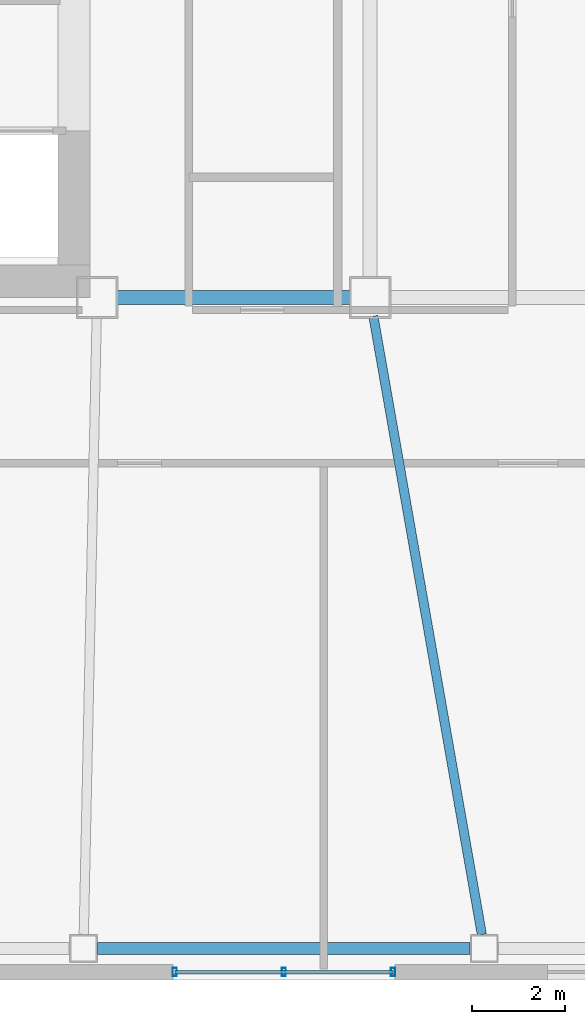
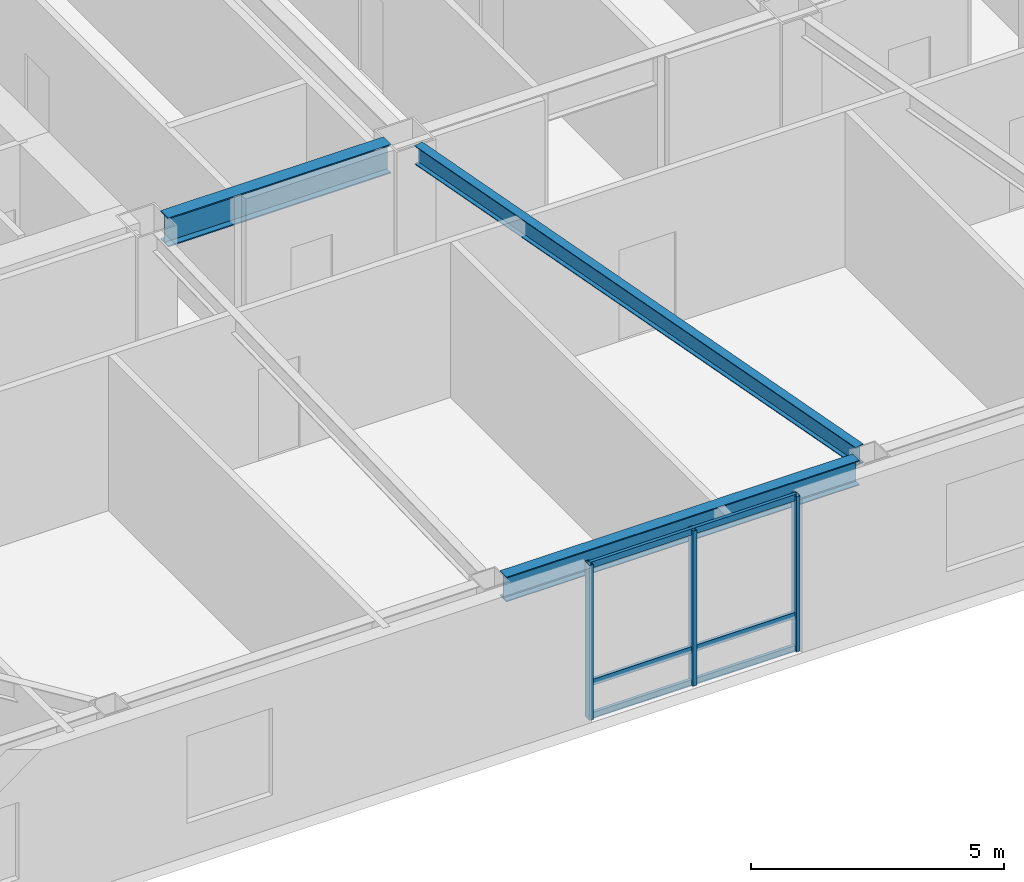
# One storey, part 2 of 18: 6 members, 3 beams, 1 element without a shape of its own.
"""IFC4 building model written with IfcOpenShell, lengths in metres."""

from ifc_helpers import new_model, si_unit, direction, frame, origin, origin_2d, place, context, subcontext, project, spatial, hollow_rectangle, i_section, extrude, material, layer, layer_set, material_profile, profile_set, type_object, element, aggregate, save


model = new_model("IFC4")

# Units and contexts
model_context = context("Model", 3, precision=1e-05, world=origin(), true_north=direction((0.0, 1.0)))
body_context = subcontext(model_context, "Body", "Model", "MODEL_VIEW")
ifc_project = project(units=[si_unit("LENGTHUNIT", "METRE"), si_unit("AREAUNIT", "SQUARE_METRE"), si_unit("VOLUMEUNIT", "CUBIC_METRE"), si_unit("PLANEANGLEUNIT", "RADIAN"), si_unit("MASSUNIT", "GRAM", prefix="KILO")], contexts=[model_context])

# Site, building, storey
site_placement = place(None, origin())
site = spatial("IfcSite", under=ifc_project, at=site_placement, CompositionType="ELEMENT")
building_placement = place(site_placement, origin())
building = spatial("IfcBuilding", under=site, at=building_placement, Name="Tavrogorsk Clinical Tower", CompositionType="ELEMENT")
storey_placement = place(building_placement, frame((0.0, 0.0, 200.199951171875)))
storey = spatial("IfcBuildingStorey", under=building, at=storey_placement, Name="L46", CompositionType="ELEMENT", Elevation=200.199951171875)

# Curtain wall, members
ifc_material_1 = material(Name="Anodised aluminium and triple IGU glazing", Category="aluminium")
ifc_layer = layer(ifc_material_1, 0.179931640625)
ifc_layer_set = layer_set([ifc_layer], Name="Anodised aluminium and triple IGU glazing")
curtain_wall_type = type_object("IfcCurtainWallType", Name="CW3_SouthSlot", PredefinedType="NOTDEFINED", material=ifc_layer_set)
curtain_wall_placement = place(storey_placement, origin())
curtain_wall = element("IfcCurtainWall", 1, at=curtain_wall_placement, inside=storey, type_object=curtain_wall_type, Name="L46 Curtain Wall CW-L46-S-SLOT-1", PredefinedType="NOTDEFINED")
ifc_material_2 = material(Name="Anodised aluminium alloy AW-6060", Category="aluminium")
ifc_material_profile_1 = material_profile(ifc_material_2, hollow_rectangle(XDim=0.090087890625, YDim=0.179931640625, WallThickness=0.00634765625, at=origin_2d()), Name="RHS-180x90x6.3")
ifc_profile_set_1 = profile_set([ifc_material_profile_1], Name="Anodised aluminium alloy AW-6060")
member_type_1 = type_object("IfcMemberType", Name="CwMullion_180x90", PredefinedType="MULLION", material=ifc_profile_set_1)
member_1_placement = place(storey_placement, frame((-8.621826171875, -20.929931640625, 0.0), z_axis=(0.0, 0.0, 1.0), x_axis=(1.0, 0.0, 0.0)))
member_1 = element("IfcMember", 2, at=member_1_placement, type_object=member_type_1, Name="CW-L46-S-SLOT-1 Mullion 1", PredefinedType="MULLION", context=body_context, shape_type="SweptSolid", body=[
    extrude(hollow_rectangle(XDim=0.090087890625, YDim=0.179931640625, WallThickness=0.00634765625, at=origin_2d()), origin(), (0.0, 0.0, 1.0), 3.739990234375),
])
member_2_placement = place(storey_placement, frame((-6.262939453125, -20.929931640625, 0.0), z_axis=(0.0, 0.0, 1.0), x_axis=(1.0, 0.0, 0.0)))
member_2 = element("IfcMember", 3, at=member_2_placement, type_object=member_type_1, Name="CW-L46-S-SLOT-1 Mullion 2", PredefinedType="MULLION", context=body_context, shape_type="SweptSolid", body=[
    extrude(hollow_rectangle(XDim=0.090087890625, YDim=0.179931640625, WallThickness=0.00634765625, at=origin_2d()), origin(), (0.0, 0.0, 1.0), 3.739990234375),
])
member_3_placement = place(storey_placement, frame((-3.90380859375, -20.929931640625, 0.0), z_axis=(0.0, 0.0, 1.0), x_axis=(1.0, 0.0, 0.0)))
member_3 = element("IfcMember", 4, at=member_3_placement, type_object=member_type_1, Name="CW-L46-S-SLOT-1 Mullion 3", PredefinedType="MULLION", context=body_context, shape_type="SweptSolid", body=[
    extrude(hollow_rectangle(XDim=0.090087890625, YDim=0.179931640625, WallThickness=0.00634765625, at=origin_2d()), origin(), (0.0, 0.0, 1.0), 3.739990234375),
])
ifc_material_3 = material(Name="Anodised aluminium alloy AW-6060", Category="aluminium")
ifc_material_profile_2 = material_profile(ifc_material_3, hollow_rectangle(XDim=0.074951171875, YDim=0.14990234375, WallThickness=0.0048828125, at=origin_2d()), Name="RHS-150x75x5")
ifc_profile_set_2 = profile_set([ifc_material_profile_2], Name="Anodised aluminium alloy AW-6060")
member_type_2 = type_object("IfcMemberType", Name="CwTransom_150x75", PredefinedType="USERDEFINED", material=ifc_profile_set_2)
member_4_placement = place(storey_placement, frame((-8.621826171875, -20.929931640625, 0.050048828125), z_axis=(1.0, 0.0, 0.0), x_axis=(0.0, 1.0, 0.0)))
member_4 = element("IfcMember", 5, at=member_4_placement, type_object=member_type_2, Name="CW-L46-S-SLOT-1 Transom 1", ObjectType="TRANSOM", PredefinedType="USERDEFINED", context=body_context, shape_type="SweptSolid", body=[
    extrude(hollow_rectangle(XDim=0.074951171875, YDim=0.14990234375, WallThickness=0.0048828125, at=origin_2d()), origin(), (0.0, 0.0, 1.0), 4.718017578125),
])
member_5_placement = place(storey_placement, frame((-8.621826171875, -20.929931640625, 0.85009765625), z_axis=(1.0, 0.0, 0.0), x_axis=(0.0, 1.0, 0.0)))
member_5 = element("IfcMember", 6, at=member_5_placement, type_object=member_type_2, Name="CW-L46-S-SLOT-1 Transom 2", ObjectType="TRANSOM", PredefinedType="USERDEFINED", context=body_context, shape_type="SweptSolid", body=[
    extrude(hollow_rectangle(XDim=0.074951171875, YDim=0.14990234375, WallThickness=0.0048828125, at=origin_2d()), origin(), (0.0, 0.0, 1.0), 4.718017578125),
])
member_6_placement = place(storey_placement, frame((-8.621826171875, -20.929931640625, 3.68994140625), z_axis=(1.0, 0.0, 0.0), x_axis=(0.0, 1.0, 0.0)))
member_6 = element("IfcMember", 7, at=member_6_placement, type_object=member_type_2, Name="CW-L46-S-SLOT-1 Transom 3", ObjectType="TRANSOM", PredefinedType="USERDEFINED", context=body_context, shape_type="SweptSolid", body=[
    extrude(hollow_rectangle(XDim=0.074951171875, YDim=0.14990234375, WallThickness=0.0048828125, at=origin_2d()), origin(), (0.0, 0.0, 1.0), 4.718017578125),
])
aggregate(curtain_wall, [member_1, member_2, member_3, member_4, member_5, member_6])

# Beams
ifc_material_4 = material(Name="Structural steel S355", Category="steel")
ifc_material_profile_3 = material_profile(ifc_material_4, i_section(OverallWidth=0.199951171875, OverallDepth=0.449951171875, WebThickness=0.011474609375, FlangeThickness=0.01806640625, at=origin_2d()), Name="B-450x200x11.5x18")
ifc_profile_set_3 = profile_set([ifc_material_profile_3], Name="Structural steel S355")
beam_type_1 = type_object("IfcBeamType", Name="FloorBeam_B450", PredefinedType="BEAM", material=ifc_profile_set_3)
beam_1_placement = place(storey_placement, frame((-4.3291015625, -6.75390625, 3.51513671875), z_axis=(0.172808972689, -0.984955358866, 0.0), x_axis=(0.984955358866, 0.172808972689, 0.0)))
element("IfcBeam", 8, at=beam_1_placement, inside=storey, type_object=beam_type_1, Name="L46 Radial Floor Beam S4", PredefinedType="BEAM", context=body_context, shape_type="SweptSolid", body=[
    extrude(i_section(OverallWidth=0.199951171875, OverallDepth=0.449951171875, WebThickness=0.011474609375, FlangeThickness=0.01806640625, at=origin_2d()), origin(), (0.0, 0.0, 1.0), 13.56689453125),
])
ifc_material_5 = material(Name="Structural steel S390", Category="steel")
ifc_material_profile_4 = material_profile(ifc_material_5, i_section(OverallWidth=0.300048828125, OverallDepth=0.699951171875, WebThickness=0.01708984375, FlangeThickness=0.028076171875, at=origin_2d()), Name="B-700x300x17x28")
ifc_profile_set_4 = profile_set([ifc_material_profile_4], Name="Structural steel S390")
beam_type_2 = type_object("IfcBeamType", Name="PrimaryGirder_B700", PredefinedType="USERDEFINED", material=ifc_profile_set_4)
beam_2_placement = place(storey_placement, frame((-9.889892578125, -6.35009765625, 3.39013671875), z_axis=(1.0, 0.0, 0.0), x_axis=(0.0, 1.0, 0.0)))
element("IfcBeam", 9, at=beam_2_placement, inside=storey, type_object=beam_type_2, Name="L46 Primary Spine Girder MG-01", ObjectType="GIRDER", PredefinedType="USERDEFINED", context=body_context, shape_type="SweptSolid", body=[
    extrude(i_section(OverallWidth=0.300048828125, OverallDepth=0.699951171875, WebThickness=0.01708984375, FlangeThickness=0.028076171875, at=origin_2d()), origin(), (0.0, 0.0, 1.0), 5.079833984375),
])
ifc_material_6 = material(Name="Structural steel S390", Category="steel")
ifc_material_profile_5 = material_profile(ifc_material_6, i_section(OverallWidth=0.260009765625, OverallDepth=0.60009765625, WebThickness=0.014892578125, FlangeThickness=0.02392578125, at=origin_2d()), Name="B-600x260x15x24")
ifc_profile_set_5 = profile_set([ifc_material_profile_5], Name="Structural steel S390")
beam_type_3 = type_object("IfcBeamType", Name="SpandrelBeam_B600", PredefinedType="SPANDREL", material=ifc_profile_set_5)
beam_3_placement = place(storey_placement, frame((-10.286376953125, -20.419921875, 3.43994140625), z_axis=(1.0, 0.0, 0.0), x_axis=(0.0, 1.0, 0.0)))
element("IfcBeam", 10, at=beam_3_placement, inside=storey, type_object=beam_type_3, Name="L46 Perimeter Spandrel S3-S4", PredefinedType="SPANDREL", context=body_context, shape_type="SweptSolid", body=[
    extrude(i_section(OverallWidth=0.260009765625, OverallDepth=0.60009765625, WebThickness=0.014892578125, FlangeThickness=0.02392578125, at=origin_2d()), origin(), (0.0, 0.0, 1.0), 8.046875),
])

save(model, "model.ifc")
